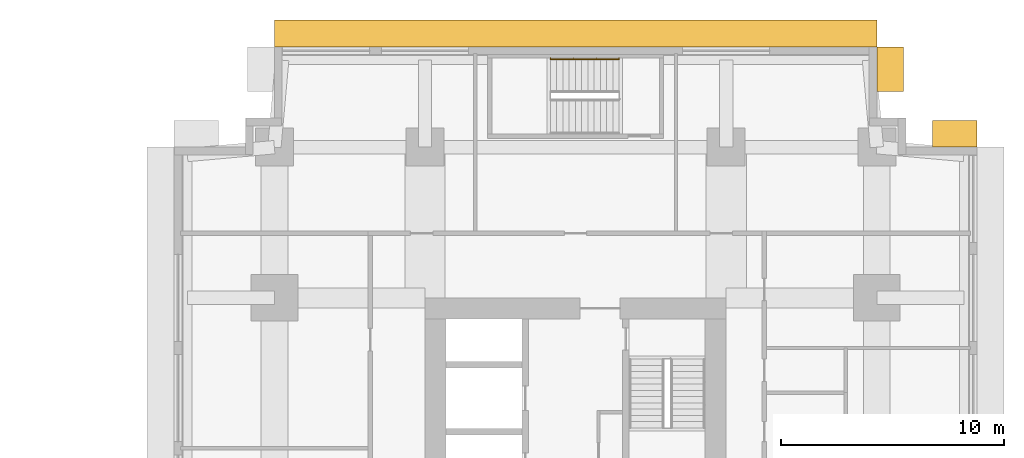
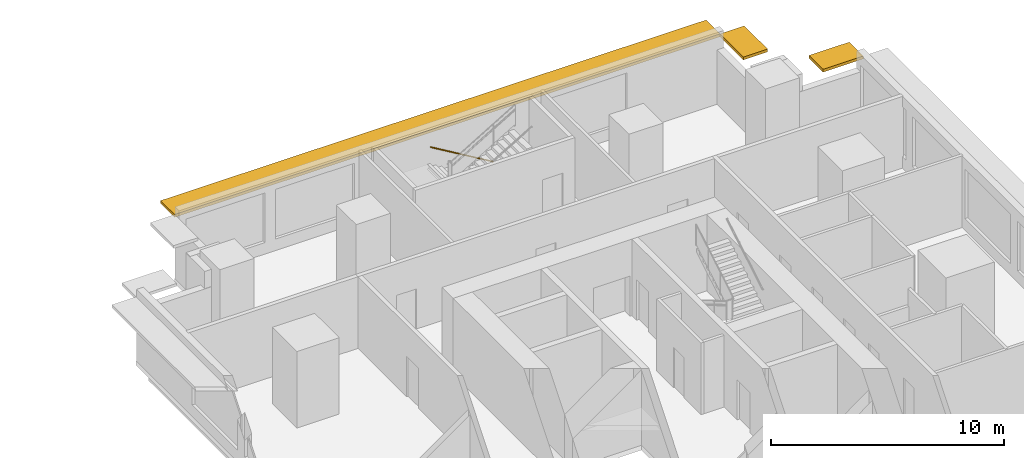
# One storey, part 11 of 11: 3 shading devices, 1 railing.
"""IFC4 building model written with IfcOpenShell, lengths in metres."""

from ifc_helpers import new_model, si_unit, direction, frame, origin, origin_2d, place, context, subcontext, project, spatial, rectangle, circle, extrude, material, layer, layer_set, type_object, element, save


model = new_model("IFC4")

# Units and contexts
model_context = context("Model", 3, precision=1e-05, world=origin(), true_north=direction((0.0, 1.0)))
body_context = subcontext(model_context, "Body", "Model", "MODEL_VIEW")
ifc_project = project(units=[si_unit("LENGTHUNIT", "METRE"), si_unit("AREAUNIT", "SQUARE_METRE"), si_unit("VOLUMEUNIT", "CUBIC_METRE"), si_unit("PLANEANGLEUNIT", "RADIAN"), si_unit("MASSUNIT", "GRAM", prefix="KILO")], contexts=[model_context])

# Site, building, storey
site_placement = place(None, origin())
site = spatial("IfcSite", under=ifc_project, at=site_placement, CompositionType="ELEMENT")
building_placement = place(site_placement, origin())
building = spatial("IfcBuilding", under=site, at=building_placement, Name="Namib Vertical Campus", CompositionType="ELEMENT")
storey_placement = place(building_placement, frame((0.0, 0.0, 57.0)))
storey = spatial("IfcBuildingStorey", under=building, at=storey_placement, Name="L13", CompositionType="ELEMENT", Elevation=57.0)

# Railing
ifc_material_1 = material(Name="Steel handrail", Category="steel")
railing_type = type_object("IfcRailingType", Name="Handrail 900", PredefinedType="HANDRAIL", material=ifc_material_1)
railing_placement = place(storey_placement, frame((82.949951171875, 39.949951171875, 0.166748046875)))
element("IfcRailing", 1, at=railing_placement, inside=storey, type_object=railing_type, Name="Handrail HR1 B-S3 L13 1", PredefinedType="HANDRAIL", context=body_context, shape_type="SweptSolid", body=[
    extrude(circle(Radius=0.02392578125, at=origin_2d()), frame((0.0, 0.0, 0.8759765625), z_axis=(-0.859290745958, 0.0, 0.51148745235), x_axis=(0.0, -1.0, 0.0)), (0.0, 0.0, 1.0), 3.584228515625),
    extrude(circle(Radius=0.008056640625, at=origin_2d()), frame((0.0, 0.0, 0.8759765625), z_axis=(0.0, 1.0, 0.0), x_axis=(0.0, 0.0, 1.0)), (0.0, 0.0, 1.0), 0.050048828125),
    extrude(circle(Radius=0.008056640625, at=origin_2d()), frame((-1.026611328125, 0.0, 1.48681640625), z_axis=(0.0, 1.0, 0.0), x_axis=(0.0, 0.0, 1.0)), (0.0, 0.0, 1.0), 0.050048828125),
    extrude(circle(Radius=0.008056640625, at=origin_2d()), frame((-2.05322265625, 0.0, 2.09814453125), z_axis=(0.0, 1.0, 0.0), x_axis=(0.0, 0.0, 1.0)), (0.0, 0.0, 1.0), 0.050048828125),
    extrude(circle(Radius=0.008056640625, at=origin_2d()), frame((-3.079833984375, 0.0, 2.708984375), z_axis=(0.0, 1.0, 0.0), x_axis=(0.0, 0.0, 1.0)), (0.0, 0.0, 1.0), 0.050048828125),
])

# Shading devices
ifc_material_2 = material(Name="Concrete C40/50 precast", Category="concrete")
ifc_layer = layer(ifc_material_2, 0.14990234375)
ifc_layer_set = layer_set([ifc_layer], Name="Concrete C40/50 precast")
shading_device_type = type_object("IfcShadingDeviceType", Name="Sunshade hood 1200", PredefinedType="SHUTTER", material=ifc_layer_set)
for number, where, z_axis, x_axis, name in (
    (2, (98.0, 36.60009765625, 3.199951171875), (0.0, 0.0, 1.0), (-1.0, 0.0, 0.0), "Sunshade SH2 L13 7"),
    (3, (95.10009765625, 39.5, 3.199951171875), (0.0, 0.0, 1.0), (0.0, 1.0, 0.0), "Sunshade SH2 L13 10"),
):
    element("IfcShadingDevice", number, at=place(storey_placement, frame(where, z_axis=z_axis, x_axis=x_axis)), inside=storey, type_object=shading_device_type, Name=name, PredefinedType="SHUTTER", context=body_context, shape_type="SweptSolid", body=[
        extrude(rectangle(XDim=2.0, YDim=1.199951171875, at=origin_2d()), origin(), (0.0, 0.0, 1.0), 0.14990234375),
    ])
shading_device_placement = place(storey_placement, frame((81.0, 41.10009765625, 3.199951171875), z_axis=(0.0, 0.0, 1.0), x_axis=(-1.0, 0.0, 0.0)))
element("IfcShadingDevice", 4, at=shading_device_placement, inside=storey, type_object=shading_device_type, Name="Sunshade SH2 L13 11", PredefinedType="SHUTTER", context=body_context, shape_type="SweptSolid", body=[
    extrude(rectangle(XDim=27.0, YDim=1.199951171875, at=origin_2d()), origin(), (0.0, 0.0, 1.0), 0.14990234375),
])

save(model, "model.ifc")
